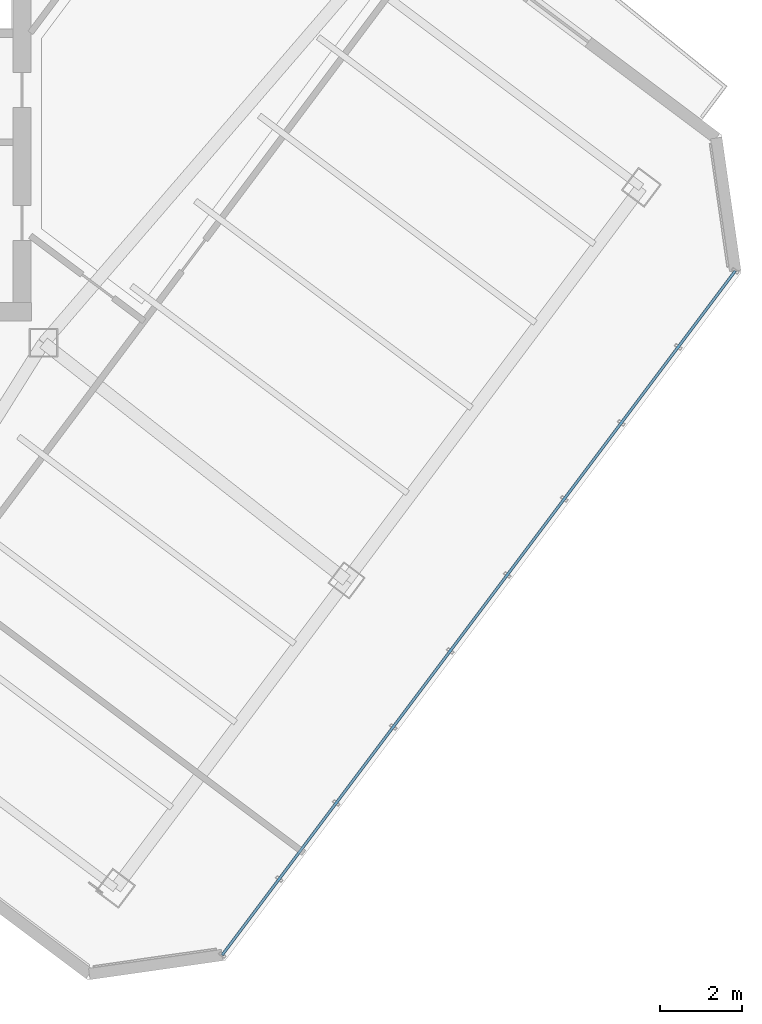
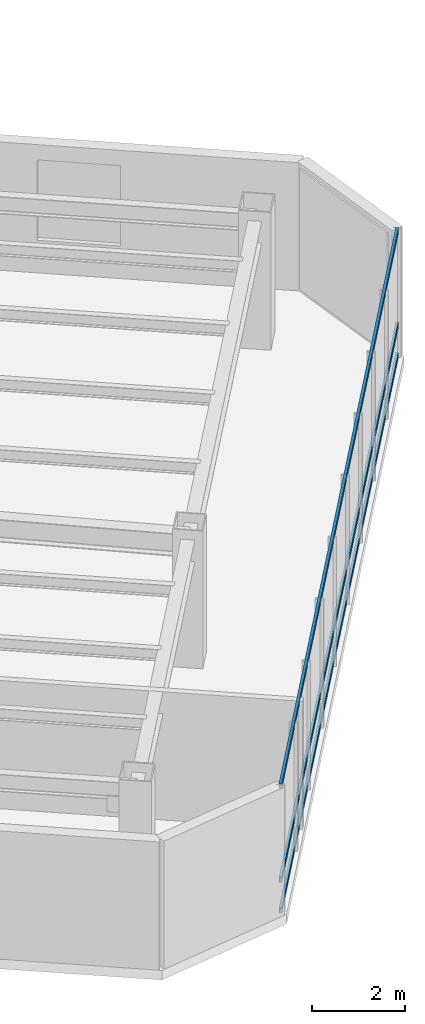
# One storey, part 12 of 25: 3 members, 1 element without a shape of its own.
"""IFC4 building model written with IfcOpenShell, lengths in metres."""

from ifc_helpers import new_model, si_unit, direction, frame, origin, origin_2d, place, context, subcontext, project, spatial, hollow_rectangle, extrude, material, layer, layer_set, material_profile, profile_set, type_object, element, aggregate, save


model = new_model("IFC4")

# Units and contexts
model_context = context("Model", 3, precision=1e-05, world=origin(), true_north=direction((0.0, 1.0)))
body_context = subcontext(model_context, "Body", "Model", "MODEL_VIEW")
ifc_project = project(units=[si_unit("LENGTHUNIT", "METRE"), si_unit("AREAUNIT", "SQUARE_METRE"), si_unit("VOLUMEUNIT", "CUBIC_METRE"), si_unit("PLANEANGLEUNIT", "RADIAN"), si_unit("MASSUNIT", "GRAM", prefix="KILO")], contexts=[model_context])

# Site, building, storey
site_placement = place(None, origin())
site = spatial("IfcSite", under=ifc_project, at=site_placement, CompositionType="ELEMENT")
building_placement = place(site_placement, origin())
building = spatial("IfcBuilding", under=site, at=building_placement, Name="Hatsunagi Terrace Concourse", CompositionType="ELEMENT")
storey_placement = place(building_placement, frame((0.0, 0.0, 220.35009765625)))
storey = spatial("IfcBuildingStorey", under=building, at=storey_placement, Name="L58", CompositionType="ELEMENT", Elevation=220.35009765625)

# Curtain wall, members
ifc_material_1 = material(Name="Anodised Aluminium Alloy 6063-T5", Category="aluminium")
ifc_layer = layer(ifc_material_1, 0.199951171875)
ifc_layer_set = layer_set([ifc_layer], Name="OfficeZone2_CW04")
curtain_wall_type = type_object("IfcCurtainWallType", Name="OfficeZone2_CW04", PredefinedType="NOTDEFINED", material=ifc_layer_set)
curtain_wall_placement = place(storey_placement, origin())
curtain_wall = element("IfcCurtainWall", 1, at=curtain_wall_placement, inside=storey, type_object=curtain_wall_type, Name="Unitised Curtain Wall CW-04 CW-L58-03", PredefinedType="NOTDEFINED")
ifc_material_2 = material(Name="Anodised Aluminium Alloy 6063-T5", Category="aluminium")
ifc_material_profile = material_profile(ifc_material_2, hollow_rectangle(XDim=0.06494140625, YDim=0.139892578125, WallThickness=0.00390625, at=origin_2d()), Name="ALU-TRN-140x65x4")
ifc_profile_set = profile_set([ifc_material_profile], Name="Anodised Aluminium Alloy 6063-T5")
member_type = type_object("IfcMemberType", Name="CurtainWallTransom_140x65", PredefinedType="USERDEFINED", material=ifc_profile_set)
member_1_placement = place(storey_placement, frame((60.693115234375, 25.9580078125, 0.0498046875), z_axis=(-0.599970072971, -0.800022444397, 0.0), x_axis=(0.800022444397, -0.599970072971, 0.0)))
member_1 = element("IfcMember", 2, at=member_1_placement, type_object=member_type, Name="Curtain Wall Transom TRN-02", ObjectType="TRANSOM", PredefinedType="USERDEFINED", context=body_context, shape_type="SweptSolid", body=[
    extrude(hollow_rectangle(XDim=0.06494140625, YDim=0.139892578125, WallThickness=0.00390625, at=origin_2d()), origin(), (0.0, 0.0, 1.0), 20.884521484375),
])
member_2_placement = place(storey_placement, frame((60.693115234375, 25.9580078125, 0.849853515625), z_axis=(-0.599970072971, -0.800022444397, 0.0), x_axis=(0.800022444397, -0.599970072971, 0.0)))
member_2 = element("IfcMember", 3, at=member_2_placement, type_object=member_type, Name="Curtain Wall Transom TRN-02", ObjectType="TRANSOM", PredefinedType="USERDEFINED", context=body_context, shape_type="SweptSolid", body=[
    extrude(hollow_rectangle(XDim=0.06494140625, YDim=0.139892578125, WallThickness=0.00390625, at=origin_2d()), origin(), (0.0, 0.0, 1.0), 20.884521484375),
])
member_3_placement = place(storey_placement, frame((60.693115234375, 25.9580078125, 3.2998046875), z_axis=(-0.599970072971, -0.800022444397, 0.0), x_axis=(0.800022444397, -0.599970072971, 0.0)))
member_3 = element("IfcMember", 4, at=member_3_placement, type_object=member_type, Name="Curtain Wall Transom TRN-02", ObjectType="TRANSOM", PredefinedType="USERDEFINED", context=body_context, shape_type="SweptSolid", body=[
    extrude(hollow_rectangle(XDim=0.06494140625, YDim=0.139892578125, WallThickness=0.00390625, at=origin_2d()), origin(), (0.0, 0.0, 1.0), 20.884521484375),
])
aggregate(curtain_wall, [member_1, member_2, member_3])

save(model, "model.ifc")
